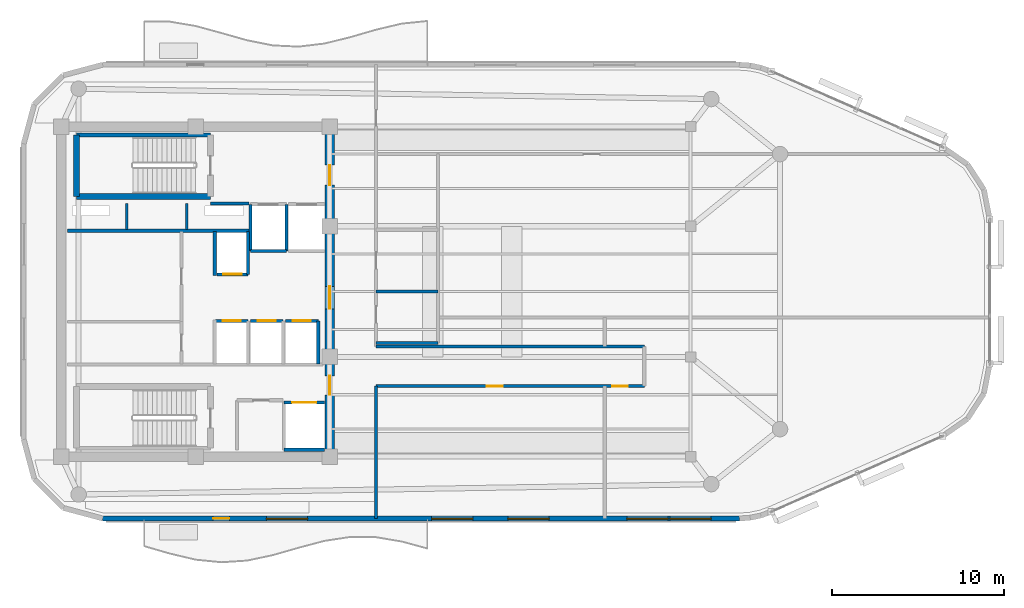
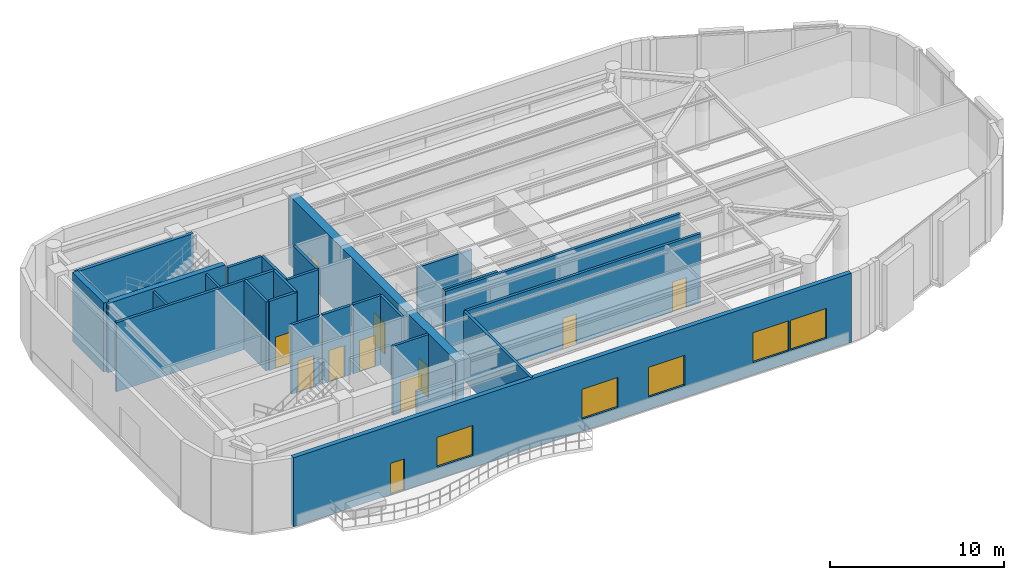
# One storey, part 8 of 12: 26 walls, 11 doors, 5 windows, 16 openings.
"""IFC4 building model written with IfcOpenShell, lengths in metres."""

from ifc_helpers import new_model, si_unit, direction, frame, frame_2d, origin, place, context, subcontext, project, spatial, rectangle, extrude, material, layer, layer_set, type_object, element, fill, save


model = new_model("IFC4")

# Units and contexts
model_context = context("Model", 3, precision=1e-05, world=origin(), true_north=direction((0.0, 1.0)))
body_context = subcontext(model_context, "Body", "Model", "MODEL_VIEW")
ifc_project = project(units=[si_unit("LENGTHUNIT", "METRE"), si_unit("AREAUNIT", "SQUARE_METRE"), si_unit("VOLUMEUNIT", "CUBIC_METRE"), si_unit("PLANEANGLEUNIT", "RADIAN"), si_unit("MASSUNIT", "GRAM", prefix="KILO")], contexts=[model_context])

# Site, building, storey
site_placement = place(None, origin())
site = spatial("IfcSite", under=ifc_project, at=site_placement, CompositionType="ELEMENT")
building_placement = place(site_placement, origin())
building = spatial("IfcBuilding", under=site, at=building_placement, Name="An Khanh Terracotta Commons", CompositionType="ELEMENT")
storey_placement = place(building_placement, frame((0.0, 0.0, 295.300048828125)))
storey = spatial("IfcBuildingStorey", under=building, at=storey_placement, Name="L77", CompositionType="ELEMENT", Elevation=295.300048828125)

# Wall, openings, doors
ifc_material_1 = material(Name="Concrete C50/60", Category="concrete")
ifc_layer_1 = layer(ifc_material_1, 0.550048828125, Name="Concrete C50/60")
ifc_layer_set_1 = layer_set([ifc_layer_1], Name="Concrete C50/60")
wall_type_1 = type_object("IfcWallType", Name="WALL-CORE-550", PredefinedType="SHEAR", material=ifc_layer_set_1)
wall_1_placement = place(storey_placement, frame((37.199951171875, 14.39990234375, 0.0), z_axis=(0.0, 0.0, 1.0), x_axis=(0.0, 1.0, 0.0)))
wall_1 = element("IfcWall", 1, at=wall_1_placement, inside=storey, type_object=wall_type_1, Name="L77 Core Wall CWALL-L77-E", PredefinedType="SHEAR", context=body_context, shape_type="SweptSolid", body=[
    extrude(rectangle(XDim=19.2001953125, YDim=0.550048828125, at=frame_2d((9.60009765625, 0.0))), origin(), (0.0, 0.0, 1.0), 4.849853515625),
])
opening_1_placement = place(wall_1_placement, frame((15.800048828125, 0.0, 0.0)))
opening_1 = element("IfcOpeningElement", 2, at=opening_1_placement, cuts=wall_1, Name="Opening D-FFL", PredefinedType="OPENING", context=body_context, shape_type="SweptSolid", body=[
    extrude(rectangle(XDim=1.14990234375, YDim=2.14990234375, at=frame_2d((0.574951171875, 1.074951171875))), frame((0.0, 0.284912109375, 0.0), z_axis=(0.0, -1.0, 0.0), x_axis=(1.0, 0.0, 0.0)), (0.0, 0.0, 1.0), 0.570068359375),
])
opening_2_placement = place(wall_1_placement, frame((3.60009765625, 0.0, 0.0)))
opening_2 = element("IfcOpeningElement", 3, at=opening_2_placement, cuts=wall_1, Name="Opening D-ST", PredefinedType="OPENING", context=body_context, shape_type="SweptSolid", body=[
    extrude(rectangle(XDim=1.10009765625, YDim=2.14990234375, at=frame_2d((0.550048828125, 1.074951171875))), frame((0.0, 0.284912109375, 0.0), z_axis=(0.0, -1.0, 0.0), x_axis=(1.0, 0.0, 0.0)), (0.0, 0.0, 1.0), 0.570068359375),
])
opening_3_placement = place(wall_1_placement, frame((8.60009765625, 0.0, 0.0)))
opening_3 = element("IfcOpeningElement", 4, at=opening_3_placement, cuts=wall_1, Name="Opening D-COR", PredefinedType="OPENING", context=body_context, shape_type="SweptSolid", body=[
    extrude(rectangle(XDim=1.300048828125, YDim=2.199951171875, at=frame_2d((0.64990234375, 1.10009765625))), frame((0.0, 0.284912109375, 0.0), z_axis=(0.0, -1.0, 0.0), x_axis=(1.0, 0.0, 0.0)), (0.0, 0.0, 1.0), 0.570068359375),
])
ifc_material_2 = material(Name="Fire-Rated Glazed Steel Double Door", Category="steel")
door_type_1 = type_object("IfcDoorType", Name="DOOR-CORR-1300", OperationType="NOTDEFINED", PredefinedType="DOOR", material=ifc_material_2)
door_1_placement = place(opening_3_placement, origin())
door_1 = element("IfcDoor", 5, at=door_1_placement, inside=storey, type_object=door_type_1, Name="L77 Passenger Lift Lobby Double Door", OperationType="DOUBLE_DOOR_SINGLE_SWING", OverallHeight=2.199951171875, OverallWidth=1.300048828125, PredefinedType="DOOR", context=body_context, shape_type="SweptSolid", body=[
    extrude(rectangle(XDim=1.300048828125, YDim=2.199951171875, at=frame_2d((0.64990234375, 1.10009765625))), frame((0.0, 0.02490234375, 0.0), z_axis=(0.0, -1.0, 0.0), x_axis=(1.0, 0.0, 0.0)), (0.0, 0.0, 1.0), 0.050048828125),
])
fill(opening_3, door_1)
ifc_material_3 = material(Name="Fire-Rated Steel Leaf and Vision Panel", Category="steel")
door_type_2 = type_object("IfcDoorType", Name="DOOR-FFL-1150", OperationType="NOTDEFINED", PredefinedType="DOOR", material=ifc_material_3)
door_2_placement = place(opening_1_placement, origin())
door_2 = element("IfcDoor", 6, at=door_2_placement, inside=storey, type_object=door_type_2, Name="L77 Firefighting Lift Lobby Fire Door", OperationType="SINGLE_SWING_RIGHT", OverallHeight=2.14990234375, OverallWidth=1.14990234375, PredefinedType="DOOR", context=body_context, shape_type="SweptSolid", body=[
    extrude(rectangle(XDim=1.14990234375, YDim=2.14990234375, at=frame_2d((0.574951171875, 1.074951171875))), frame((0.0, 0.02490234375, 0.0), z_axis=(0.0, -1.0, 0.0), x_axis=(1.0, 0.0, 0.0)), (0.0, 0.0, 1.0), 0.050048828125),
])
fill(opening_1, door_2)
ifc_material_4 = material(Name="Fire-Rated Steel Leaf and Frame", Category="steel")
door_type_3 = type_object("IfcDoorType", Name="DOOR-STAIR-1100", OperationType="NOTDEFINED", PredefinedType="DOOR", material=ifc_material_4)
door_3_placement = place(opening_2_placement, origin())
door_3 = element("IfcDoor", 7, at=door_3_placement, inside=storey, type_object=door_type_3, Name="L77 South Stair Lobby Fire Door", OperationType="SINGLE_SWING_LEFT", OverallHeight=2.14990234375, OverallWidth=1.10009765625, PredefinedType="DOOR", context=body_context, shape_type="SweptSolid", body=[
    extrude(rectangle(XDim=1.10009765625, YDim=2.14990234375, at=frame_2d((0.550048828125, 1.074951171875))), frame((0.0, 0.02490234375, 0.0), z_axis=(0.0, -1.0, 0.0), x_axis=(1.0, 0.0, 0.0)), (0.0, 0.0, 1.0), 0.050048828125),
])
fill(opening_2, door_3)

# Walls
ifc_material_5 = material(Name="Fire-Rated Gypsum Board on Steel Stud", Category="steel")
ifc_layer_2 = layer(ifc_material_5, 0.179931640625, Name="Fire-Rated Gypsum Board on Steel Stud")
ifc_layer_set_2 = layer_set([ifc_layer_2], Name="Fire-Rated Gypsum Board on Steel Stud")
wall_type_2 = type_object("IfcWallType", Name="WALL-CORR-180", PredefinedType="PARTITIONING", material=ifc_layer_set_2)
wall_2_placement = place(storey_placement, frame((30.27001953125, 29.1201171875, 0.0), z_axis=(0.0, 0.0, 1.0), x_axis=(1.0, 0.0, 0.0)))
element("IfcWall", 8, at=wall_2_placement, inside=storey, type_object=wall_type_2, Name="L77 Core Wall FFLW-L77-S", PredefinedType="PARTITIONING", context=body_context, shape_type="SweptSolid", body=[
    extrude(rectangle(XDim=2.239990234375, YDim=0.179931640625, at=frame_2d((1.1201171875, 0.0))), origin(), (0.0, 0.0, 1.0), 4.849853515625),
])
wall_3_placement = place(storey_placement, frame((21.949951171875, 27.5400390625, 0.0), z_axis=(0.0, 0.0, 1.0), x_axis=(1.0, 0.0, 0.0)))
element("IfcWall", 9, at=wall_3_placement, inside=storey, type_object=wall_type_2, Name="L77 Core Wall RSRW-L77-S", PredefinedType="PARTITIONING", context=body_context, shape_type="SweptSolid", body=[
    extrude(rectangle(XDim=10.56005859375, YDim=0.179931640625, at=frame_2d((5.280029296875, 0.0))), origin(), (0.0, 0.0, 1.0), 4.849853515625),
])
wall_4_placement = place(storey_placement, frame((34.679931640625, 26.35009765625, 0.0), z_axis=(0.0, 0.0, 1.0), x_axis=(-1.0, 0.0, 0.0)))
element("IfcWall", 10, at=wall_4_placement, inside=storey, type_object=wall_type_2, Name="L77 Core Wall LSH-L77-FFL-01-S", PredefinedType="PARTITIONING", context=body_context, shape_type="SweptSolid", body=[
    extrude(rectangle(XDim=2.079833984375, YDim=0.179931640625, at=frame_2d((1.0400390625, 0.0))), origin(), (0.0, 0.0, 1.0), 4.849853515625),
])
for number, where, z_axis, x_axis, name in (
    (11, (34.679931640625, 26.35009765625, 0.0), (0.0, 0.0, 1.0), (0.0, 1.0, 0.0), "L77 Core Wall LSH-L77-FFL-01-E"),
    (12, (32.60009765625, 29.080078125, 0.0), (0.0, 0.0, 1.0), (0.0, -1.0, 0.0), "L77 Core Wall LSH-L77-FFL-01-W"),
):
    element("IfcWall", number, at=place(storey_placement, frame(where, z_axis=z_axis, x_axis=x_axis)), inside=storey, type_object=wall_type_2, Name=name, PredefinedType="PARTITIONING", context=body_context, shape_type="SweptSolid", body=[
        extrude(rectangle(XDim=2.72998046875, YDim=0.179931640625, at=frame_2d((1.364990234375, 0.0))), origin(), (0.0, 0.0, 1.0), 4.849853515625),
    ])

# Wall, opening, door
wall_5_placement = place(storey_placement, frame((34.550048828125, 17.550048828125, 0.0), z_axis=(0.0, 0.0, 1.0), x_axis=(1.0, 0.0, 0.0)))
wall_5 = element("IfcWall", 13, at=wall_5_placement, inside=storey, type_object=wall_type_2, Name="L77 Core Wall LSH-L77-SVL-01-N", PredefinedType="PARTITIONING", context=body_context, shape_type="SweptSolid", body=[
    extrude(rectangle(XDim=2.349853515625, YDim=0.179931640625, at=frame_2d((1.1748046875, 0.0))), origin(), (0.0, 0.0, 1.0), 4.849853515625),
])
opening_4_placement = place(wall_5_placement, frame((0.47509765625, 0.0, 0.0)))
opening_4 = element("IfcOpeningElement", 14, at=opening_4_placement, cuts=wall_5, Name="Opening LD-SVL-01-L77", PredefinedType="OPENING", context=body_context, shape_type="SweptSolid", body=[
    extrude(rectangle(XDim=1.39990234375, YDim=2.300048828125, at=frame_2d((0.699951171875, 1.14990234375))), frame((0.0, 0.099853515625, 0.0), z_axis=(0.0, -1.0, 0.0), x_axis=(1.0, 0.0, 0.0)), (0.0, 0.0, 1.0), 0.199951171875),
])
ifc_material_6 = material(Name="Heavy-Duty Stainless Steel Goods Landing Door", Category="steel")
door_type_4 = type_object("IfcDoorType", Name="DOOR-LD-SVL-1400", OperationType="NOTDEFINED", PredefinedType="DOOR", material=ifc_material_6)
door_4_placement = place(opening_4_placement, origin())
door_4 = element("IfcDoor", 15, at=door_4_placement, inside=storey, type_object=door_type_4, Name="L77 Lift SVL-01 Sliding Landing Door", OperationType="DOUBLE_DOOR_SLIDING", OverallHeight=2.300048828125, OverallWidth=1.39990234375, PredefinedType="DOOR", context=body_context, shape_type="SweptSolid", body=[
    extrude(rectangle(XDim=1.39990234375, YDim=2.300048828125, at=frame_2d((0.699951171875, 1.14990234375))), frame((0.0, 0.02490234375, 0.0), z_axis=(0.0, -1.0, 0.0), x_axis=(1.0, 0.0, 0.0)), (0.0, 0.0, 1.0), 0.050048828125),
])
fill(opening_4, door_4)

# Wall
wall_6_placement = place(storey_placement, frame((36.89990234375, 14.800048828125, 0.0), z_axis=(0.0, 0.0, 1.0), x_axis=(-1.0, 0.0, 0.0)))
element("IfcWall", 16, at=wall_6_placement, inside=storey, type_object=wall_type_2, Name="L77 Core Wall LSH-L77-SVL-01-S", PredefinedType="PARTITIONING", context=body_context, shape_type="SweptSolid", body=[
    extrude(rectangle(XDim=2.349853515625, YDim=0.179931640625, at=frame_2d((1.1748046875, 0.0))), origin(), (0.0, 0.0, 1.0), 3.33203125),
])

# Wall, opening, door
wall_7_placement = place(storey_placement, frame((32.4599609375, 25.0, 0.0), z_axis=(0.0, 0.0, 1.0), x_axis=(-1.0, 0.0, 0.0)))
wall_7 = element("IfcWall", 17, at=wall_7_placement, inside=storey, type_object=wall_type_2, Name="L77 Core Wall LSH-L77-PL-H1-S", PredefinedType="PARTITIONING", context=body_context, shape_type="SweptSolid", body=[
    extrude(rectangle(XDim=1.820068359375, YDim=0.179931640625, at=frame_2d((0.91015625, 0.0))), origin(), (0.0, 0.0, 1.0), 4.849853515625),
])
opening_5_placement = place(wall_7_placement, frame((0.385009765625, 0.0, 0.0)))
opening_5 = element("IfcOpeningElement", 18, at=opening_5_placement, cuts=wall_7, Name="Opening LD-PL-H1-L77", PredefinedType="OPENING", context=body_context, shape_type="SweptSolid", body=[
    extrude(rectangle(XDim=1.050048828125, YDim=2.199951171875, at=frame_2d((0.52490234375, 1.10009765625))), frame((0.0, 0.099853515625, 0.0), z_axis=(0.0, -1.0, 0.0), x_axis=(1.0, 0.0, 0.0)), (0.0, 0.0, 1.0), 0.199951171875),
])
ifc_material_7 = material(Name="Brushed Stainless Steel High-Rise Landing Door", Category="steel")
door_type_5 = type_object("IfcDoorType", Name="DOOR-LD-PAXH-1050", OperationType="NOTDEFINED", PredefinedType="DOOR", material=ifc_material_7)
door_5_placement = place(opening_5_placement, origin())
door_5 = element("IfcDoor", 19, at=door_5_placement, inside=storey, type_object=door_type_5, Name="L77 Lift PL-H1 Sliding Landing Door", OperationType="DOUBLE_DOOR_SLIDING", OverallHeight=2.199951171875, OverallWidth=1.050048828125, PredefinedType="DOOR", context=body_context, shape_type="SweptSolid", body=[
    extrude(rectangle(XDim=1.050048828125, YDim=2.199951171875, at=frame_2d((0.52490234375, 1.10009765625))), frame((0.0, 0.02490234375, 0.0), z_axis=(0.0, -1.0, 0.0), x_axis=(1.0, 0.0, 0.0)), (0.0, 0.0, 1.0), 0.050048828125),
])
fill(opening_5, door_5)

# Wall
wall_8_placement = place(storey_placement, frame((32.4599609375, 25.0, 0.0), z_axis=(0.0, 0.0, 1.0), x_axis=(0.0, 1.0, 0.0)))
element("IfcWall", 20, at=wall_8_placement, inside=storey, type_object=wall_type_2, Name="L77 Core Wall LSH-L77-PL-H1-E", PredefinedType="PARTITIONING", context=body_context, shape_type="SweptSolid", body=[
    extrude(rectangle(XDim=2.5, YDim=0.179931640625, at=frame_2d((1.25, 0.0))), origin(), (0.0, 0.0, 1.0), 4.849853515625),
])

# Wall, opening, door
wall_9_placement = place(storey_placement, frame((30.56005859375, 22.300048828125, 0.0), z_axis=(0.0, 0.0, 1.0), x_axis=(1.0, 0.0, 0.0)))
wall_9 = element("IfcWall", 21, at=wall_9_placement, inside=storey, type_object=wall_type_2, Name="L77 Core Wall LSH-L77-PL-H2-N", PredefinedType="PARTITIONING", context=body_context, shape_type="SweptSolid", body=[
    extrude(rectangle(XDim=1.89990234375, YDim=0.179931640625, at=frame_2d((0.949951171875, 0.0))), origin(), (0.0, 0.0, 1.0), 4.849853515625),
])
opening_6_placement = place(wall_9_placement, frame((0.425048828125, 0.0, 0.0)))
opening_6 = element("IfcOpeningElement", 22, at=opening_6_placement, cuts=wall_9, Name="Opening LD-PL-H2-L77", PredefinedType="OPENING", context=body_context, shape_type="SweptSolid", body=[
    extrude(rectangle(XDim=1.050048828125, YDim=2.199951171875, at=frame_2d((0.52490234375, 1.10009765625))), frame((0.0, 0.099853515625, 0.0), z_axis=(0.0, -1.0, 0.0), x_axis=(1.0, 0.0, 0.0)), (0.0, 0.0, 1.0), 0.199951171875),
])
door_6_placement = place(opening_6_placement, origin())
door_6 = element("IfcDoor", 23, at=door_6_placement, inside=storey, type_object=door_type_5, Name="L77 Lift PL-H2 Sliding Landing Door", OperationType="DOUBLE_DOOR_SLIDING", OverallHeight=2.199951171875, OverallWidth=1.050048828125, PredefinedType="DOOR", context=body_context, shape_type="SweptSolid", body=[
    extrude(rectangle(XDim=1.050048828125, YDim=2.199951171875, at=frame_2d((0.52490234375, 1.10009765625))), frame((0.0, 0.02490234375, 0.0), z_axis=(0.0, -1.0, 0.0), x_axis=(1.0, 0.0, 0.0)), (0.0, 0.0, 1.0), 0.050048828125),
])
fill(opening_6, door_6)

wall_10_placement = place(storey_placement, frame((32.60009765625, 22.300048828125, 0.0), z_axis=(0.0, 0.0, 1.0), x_axis=(1.0, 0.0, 0.0)))
wall_10 = element("IfcWall", 24, at=wall_10_placement, inside=storey, type_object=wall_type_2, Name="L77 Core Wall LSH-L77-PL-H3-N", PredefinedType="PARTITIONING", context=body_context, shape_type="SweptSolid", body=[
    extrude(rectangle(XDim=1.89990234375, YDim=0.179931640625, at=frame_2d((0.949951171875, 0.0))), origin(), (0.0, 0.0, 1.0), 4.849853515625),
])
opening_7_placement = place(wall_10_placement, frame((0.425048828125, 0.0, 0.0)))
opening_7 = element("IfcOpeningElement", 25, at=opening_7_placement, cuts=wall_10, Name="Opening LD-PL-H3-L77", PredefinedType="OPENING", context=body_context, shape_type="SweptSolid", body=[
    extrude(rectangle(XDim=1.050048828125, YDim=2.199951171875, at=frame_2d((0.52490234375, 1.10009765625))), frame((0.0, 0.099853515625, 0.0), z_axis=(0.0, -1.0, 0.0), x_axis=(1.0, 0.0, 0.0)), (0.0, 0.0, 1.0), 0.199951171875),
])
door_7_placement = place(opening_7_placement, origin())
door_7 = element("IfcDoor", 26, at=door_7_placement, inside=storey, type_object=door_type_5, Name="L77 Lift PL-H3 Sliding Landing Door", OperationType="DOUBLE_DOOR_SLIDING", OverallHeight=2.199951171875, OverallWidth=1.050048828125, PredefinedType="DOOR", context=body_context, shape_type="SweptSolid", body=[
    extrude(rectangle(XDim=1.050048828125, YDim=2.199951171875, at=frame_2d((0.52490234375, 1.10009765625))), frame((0.0, 0.02490234375, 0.0), z_axis=(0.0, -1.0, 0.0), x_axis=(1.0, 0.0, 0.0)), (0.0, 0.0, 1.0), 0.050048828125),
])
fill(opening_7, door_7)

wall_11_placement = place(storey_placement, frame((34.639892578125, 22.300048828125, 0.0), z_axis=(0.0, 0.0, 1.0), x_axis=(1.0, 0.0, 0.0)))
wall_11 = element("IfcWall", 27, at=wall_11_placement, inside=storey, type_object=wall_type_2, Name="L77 Core Wall LSH-L77-PL-H4-N", PredefinedType="PARTITIONING", context=body_context, shape_type="SweptSolid", body=[
    extrude(rectangle(XDim=1.900146484375, YDim=0.179931640625, at=frame_2d((0.9501953125, 0.0))), origin(), (0.0, 0.0, 1.0), 4.849853515625),
])
opening_8_placement = place(wall_11_placement, frame((0.425048828125, 0.0, 0.0)))
opening_8 = element("IfcOpeningElement", 28, at=opening_8_placement, cuts=wall_11, Name="Opening LD-PL-H4-L77", PredefinedType="OPENING", context=body_context, shape_type="SweptSolid", body=[
    extrude(rectangle(XDim=1.050048828125, YDim=2.199951171875, at=frame_2d((0.52490234375, 1.10009765625))), frame((0.0, 0.099853515625, 0.0), z_axis=(0.0, -1.0, 0.0), x_axis=(1.0, 0.0, 0.0)), (0.0, 0.0, 1.0), 0.199951171875),
])
door_8_placement = place(opening_8_placement, origin())
door_8 = element("IfcDoor", 29, at=door_8_placement, inside=storey, type_object=door_type_5, Name="L77 Lift PL-H4 Sliding Landing Door", OperationType="DOUBLE_DOOR_SLIDING", OverallHeight=2.199951171875, OverallWidth=1.050048828125, PredefinedType="DOOR", context=body_context, shape_type="SweptSolid", body=[
    extrude(rectangle(XDim=1.050048828125, YDim=2.199951171875, at=frame_2d((0.52490234375, 1.10009765625))), frame((0.0, 0.02490234375, 0.0), z_axis=(0.0, -1.0, 0.0), x_axis=(1.0, 0.0, 0.0)), (0.0, 0.0, 1.0), 0.050048828125),
])
fill(opening_8, door_8)

# Walls
wall_12_placement = place(storey_placement, frame((36.5400390625, 19.800048828125, 0.0), z_axis=(0.0, 0.0, 1.0), x_axis=(0.0, 1.0, 0.0)))
element("IfcWall", 30, at=wall_12_placement, inside=storey, type_object=wall_type_2, Name="L77 Core Wall LSH-L77-PL-H4-E", PredefinedType="PARTITIONING", context=body_context, shape_type="SweptSolid", body=[
    extrude(rectangle(XDim=2.5, YDim=0.179931640625, at=frame_2d((1.25, 0.0))), origin(), (0.0, 0.0, 1.0), 4.849853515625),
])
wall_13_placement = place(storey_placement, frame((30.52001953125, 24.949951171875, 0.0), z_axis=(0.0, 0.0, 1.0), x_axis=(0.0, 1.0, 0.0)))
element("IfcWall", 31, at=wall_13_placement, inside=storey, type_object=wall_type_2, Name="L77 Core Wall RECW-L77-BE1", PredefinedType="PARTITIONING", context=body_context, shape_type="SweptSolid", body=[
    extrude(rectangle(XDim=2.550048828125, YDim=0.179931640625, at=frame_2d((1.27490234375, 0.0))), origin(), (0.0, 0.0, 1.0), 4.849853515625),
])

# Wall, openings, doors
wall_14_placement = place(storey_placement, frame((39.89990234375, 18.5, 0.0), z_axis=(0.0, 0.0, 1.0), x_axis=(1.0, 0.0, 0.0)))
wall_14 = element("IfcWall", 32, at=wall_14_placement, inside=storey, type_object=wall_type_2, Name="L77 Interior Partition IW-L77-E001", PredefinedType="PARTITIONING", context=body_context, shape_type="SweptSolid", body=[
    extrude(rectangle(XDim=15.60009765625, YDim=0.179931640625, at=frame_2d((7.800048828125, 0.0))), origin(), (0.0, 0.0, 1.0), 4.849853515625),
])
opening_9_placement = place(wall_14_placement, frame((6.449951171875, 0.0, 0.0)))
opening_9 = element("IfcOpeningElement", 33, at=opening_9_placement, cuts=wall_14, Name="Opening D-RM", PredefinedType="OPENING", context=body_context, shape_type="SweptSolid", body=[
    extrude(rectangle(XDim=0.919921875, YDim=2.10009765625, at=frame_2d((0.4599609375, 1.050048828125))), frame((0.0, 0.099853515625, 0.0), z_axis=(0.0, -1.0, 0.0), x_axis=(1.0, 0.0, 0.0)), (0.0, 0.0, 1.0), 0.199951171875),
])
opening_10_placement = place(wall_14_placement, frame((13.72998046875, 0.0, 0.0)))
opening_10 = element("IfcOpeningElement", 34, at=opening_10_placement, cuts=wall_14, Name="Opening D-RM", PredefinedType="OPENING", context=body_context, shape_type="SweptSolid", body=[
    extrude(rectangle(XDim=0.919921875, YDim=2.10009765625, at=frame_2d((0.4599609375, 1.050048828125))), frame((0.0, 0.099853515625, 0.0), z_axis=(0.0, -1.0, 0.0), x_axis=(1.0, 0.0, 0.0)), (0.0, 0.0, 1.0), 0.199951171875),
])
ifc_material_8 = material(Name="Engineered Hardwood Timber Leaf", Category="wood")
door_type_6 = type_object("IfcDoorType", Name="DOOR-INT-920", OperationType="NOTDEFINED", PredefinedType="DOOR", material=ifc_material_8)
door_9_placement = place(opening_9_placement, origin())
door_9 = element("IfcDoor", 35, at=door_9_placement, inside=storey, type_object=door_type_6, Name="L77 SSEM Observatory Reading Library Door", OperationType="SINGLE_SWING_RIGHT", OverallHeight=2.10009765625, OverallWidth=0.919921875, PredefinedType="DOOR", context=body_context, shape_type="SweptSolid", body=[
    extrude(rectangle(XDim=0.919921875, YDim=2.10009765625, at=frame_2d((0.4599609375, 1.050048828125))), frame((0.0, 0.02490234375, 0.0), z_axis=(0.0, -1.0, 0.0), x_axis=(1.0, 0.0, 0.0)), (0.0, 0.0, 1.0), 0.050048828125),
])
fill(opening_9, door_9)
door_10_placement = place(opening_10_placement, origin())
door_10 = element("IfcDoor", 36, at=door_10_placement, inside=storey, type_object=door_type_6, Name="L77 SWST Residents Sky Forum Hall Door", OperationType="SINGLE_SWING_LEFT", OverallHeight=2.10009765625, OverallWidth=0.919921875, PredefinedType="DOOR", context=body_context, shape_type="SweptSolid", body=[
    extrude(rectangle(XDim=0.919921875, YDim=2.10009765625, at=frame_2d((0.4599609375, 1.050048828125))), frame((0.0, 0.02490234375, 0.0), z_axis=(0.0, -1.0, 0.0), x_axis=(1.0, 0.0, 0.0)), (0.0, 0.0, 1.0), 0.050048828125),
])
fill(opening_10, door_10)

# Walls
wall_15_placement = place(storey_placement, frame((39.89990234375, 20.800048828125, 0.0), z_axis=(0.0, 0.0, 1.0), x_axis=(1.0, 0.0, 0.0)))
element("IfcWall", 37, at=wall_15_placement, inside=storey, type_object=wall_type_2, Name="L77 Interior Partition IW-L77-E002", PredefinedType="PARTITIONING", context=body_context, shape_type="SweptSolid", body=[
    extrude(rectangle(XDim=15.60009765625, YDim=0.179931640625, at=frame_2d((7.800048828125, 0.0))), origin(), (0.0, 0.0, 1.0), 4.849853515625),
])
wall_16_placement = place(storey_placement, frame((39.89990234375, 21.0, 0.0), z_axis=(0.0, 0.0, 1.0), x_axis=(1.0, 0.0, 0.0)))
element("IfcWall", 38, at=wall_16_placement, inside=storey, type_object=wall_type_2, Name="L77 Interior Partition IW-L77-E003", PredefinedType="PARTITIONING", context=body_context, shape_type="SweptSolid", body=[
    extrude(rectangle(XDim=3.60009765625, YDim=0.179931640625, at=frame_2d((1.800048828125, 0.0))), origin(), (0.0, 0.0, 1.0), 4.849853515625),
])
wall_17_placement = place(storey_placement, frame((39.89990234375, 24.0, 0.0), z_axis=(0.0, 0.0, 1.0), x_axis=(1.0, 0.0, 0.0)))
element("IfcWall", 39, at=wall_17_placement, inside=storey, type_object=wall_type_2, Name="L77 Interior Partition IW-L77-E005", PredefinedType="PARTITIONING", context=body_context, shape_type="SweptSolid", body=[
    extrude(rectangle(XDim=3.60009765625, YDim=0.179931640625, at=frame_2d((1.800048828125, 0.0))), origin(), (0.0, 0.0, 1.0), 4.592041015625),
])
wall_18_placement = place(storey_placement, frame((39.89990234375, 10.800048828125, 0.0), z_axis=(0.0, 0.0, 1.0), x_axis=(0.0, 1.0, 0.0)))
element("IfcWall", 40, at=wall_18_placement, inside=storey, type_object=wall_type_2, Name="L77 Interior Partition IW-L77-E008", PredefinedType="PARTITIONING", context=body_context, shape_type="SweptSolid", body=[
    extrude(rectangle(XDim=7.699951171875, YDim=0.179931640625, at=frame_2d((3.85009765625, 0.0))), origin(), (0.0, 0.0, 1.0), 4.849853515625),
])

# Wall, openings, door, windows
ifc_material_9 = material(Name="Precast concrete C40/50", Category="concrete")
ifc_layer_3 = layer(ifc_material_9, 0.300048828125, Name="Precast concrete C40/50")
ifc_layer_set_3 = layer_set([ifc_layer_3], Name="Precast concrete C40/50")
wall_type_3 = type_object("IfcWallType", Name="WALL-EXT-300", PredefinedType="SOLIDWALL", material=ifc_layer_set_3)
wall_19_placement = place(storey_placement, frame((24.0, 10.800048828125, 0.0), z_axis=(0.0, 0.0, 1.0), x_axis=(1.0, 0.0, 0.0)))
wall_19 = element("IfcWall", 41, at=wall_19_placement, inside=storey, type_object=wall_type_3, Name="L77 Insulated Terracotta Exterior Wall 4", PredefinedType="SOLIDWALL", context=body_context, shape_type="SweptSolid", body=[
    extrude(rectangle(XDim=37.030029296875, YDim=0.300048828125, at=frame_2d((18.51513671875, 0.0))), origin(), (0.0, 0.0, 1.0), 4.849853515625),
])
opening_11_placement = place(wall_19_placement, frame((6.425048828125, 0.0, 0.0)))
opening_11 = element("IfcOpeningElement", 42, at=opening_11_placement, cuts=wall_19, Name="Opening D-BAL", PredefinedType="OPENING", context=body_context, shape_type="SweptSolid", body=[
    extrude(rectangle(XDim=0.949951171875, YDim=2.199951171875, at=frame_2d((0.47509765625, 1.10009765625))), frame((0.0, 0.159912109375, 0.0), z_axis=(0.0, -1.0, 0.0), x_axis=(1.0, 0.0, 0.0)), (0.0, 0.0, 1.0), 0.320068359375),
])
opening_12_placement = place(wall_19_placement, frame((9.51708984375, 0.0, 0.85009765625)))
opening_12 = element("IfcOpeningElement", 43, at=opening_12_placement, cuts=wall_19, Name="Opening W-07", PredefinedType="OPENING", context=body_context, shape_type="SweptSolid", body=[
    extrude(rectangle(XDim=2.39990234375, YDim=2.10009765625, at=frame_2d((1.199951171875, 1.050048828125))), frame((0.0, 0.159912109375, 0.0), z_axis=(0.0, -1.0, 0.0), x_axis=(1.0, 0.0, 0.0)), (0.0, 0.0, 1.0), 0.320068359375),
])
opening_13_placement = place(wall_19_placement, frame((19.133056640625, 0.0, 0.85009765625)))
opening_13 = element("IfcOpeningElement", 44, at=opening_13_placement, cuts=wall_19, Name="Opening W-07", PredefinedType="OPENING", context=body_context, shape_type="SweptSolid", body=[
    extrude(rectangle(XDim=2.39990234375, YDim=2.10009765625, at=frame_2d((1.199951171875, 1.050048828125))), frame((0.0, 0.159912109375, 0.0), z_axis=(0.0, -1.0, 0.0), x_axis=(1.0, 0.0, 0.0)), (0.0, 0.0, 1.0), 0.320068359375),
])
opening_14_placement = place(wall_19_placement, frame((23.56689453125, 0.0, 0.85009765625)))
opening_14 = element("IfcOpeningElement", 45, at=opening_14_placement, cuts=wall_19, Name="Opening W-07", PredefinedType="OPENING", context=body_context, shape_type="SweptSolid", body=[
    extrude(rectangle(XDim=2.39990234375, YDim=2.10009765625, at=frame_2d((1.199951171875, 1.050048828125))), frame((0.0, 0.159912109375, 0.0), z_axis=(0.0, -1.0, 0.0), x_axis=(1.0, 0.0, 0.0)), (0.0, 0.0, 1.0), 0.320068359375),
])
opening_15_placement = place(wall_19_placement, frame((30.492919921875, 0.0, 0.85009765625)))
opening_15 = element("IfcOpeningElement", 46, at=opening_15_placement, cuts=wall_19, Name="Opening W-07", PredefinedType="OPENING", context=body_context, shape_type="SweptSolid", body=[
    extrude(rectangle(XDim=2.39990234375, YDim=2.10009765625, at=frame_2d((1.199951171875, 1.050048828125))), frame((0.0, 0.159912109375, 0.0), z_axis=(0.0, -1.0, 0.0), x_axis=(1.0, 0.0, 0.0)), (0.0, 0.0, 1.0), 0.320068359375),
])
opening_16_placement = place(wall_19_placement, frame((32.987060546875, 0.0, 0.85009765625)))
opening_16 = element("IfcOpeningElement", 47, at=opening_16_placement, cuts=wall_19, Name="Opening W-07", PredefinedType="OPENING", context=body_context, shape_type="SweptSolid", body=[
    extrude(rectangle(XDim=2.39990234375, YDim=2.10009765625, at=frame_2d((1.199951171875, 1.050048828125))), frame((0.0, 0.159912109375, 0.0), z_axis=(0.0, -1.0, 0.0), x_axis=(1.0, 0.0, 0.0)), (0.0, 0.0, 1.0), 0.320068359375),
])
ifc_material_10 = material(Name="Thermally Broken Aluminium and Low-E Glass", Category="aluminium")
door_type_7 = type_object("IfcDoorType", Name="DOOR-BALC-950", OperationType="NOTDEFINED", PredefinedType="DOOR", material=ifc_material_10)
door_11_placement = place(opening_11_placement, origin())
door_11 = element("IfcDoor", 48, at=door_11_placement, inside=storey, type_object=door_type_7, Name="L77 S Wave Balcony Glazed Door", OperationType="SINGLE_SWING_LEFT", OverallHeight=2.199951171875, OverallWidth=0.949951171875, PredefinedType="DOOR", context=body_context, shape_type="SweptSolid", body=[
    extrude(rectangle(XDim=0.949951171875, YDim=2.199951171875, at=frame_2d((0.47509765625, 1.10009765625))), frame((0.0, 0.02490234375, 0.0), z_axis=(0.0, -1.0, 0.0), x_axis=(1.0, 0.0, 0.0)), (0.0, 0.0, 1.0), 0.050048828125),
])
fill(opening_11, door_11)
window_type = type_object("IfcWindowType", Name="WIN-SKY-2400x2100", PartitioningType="TRIPLE_PANEL_VERTICAL", PredefinedType="WINDOW", material=ifc_material_10)
window_1_placement = place(opening_12_placement, origin())
window_1 = element("IfcWindow", 49, at=window_1_placement, inside=storey, type_object=window_type, Name="L77 Operable Casement Window 4.1", OverallHeight=2.10009765625, OverallWidth=2.39990234375, PartitioningType="TRIPLE_PANEL_VERTICAL", PredefinedType="WINDOW", context=body_context, shape_type="SweptSolid", body=[
    extrude(rectangle(XDim=2.39990234375, YDim=2.10009765625, at=frame_2d((1.199951171875, 1.050048828125))), frame((0.0, 0.030029296875, 0.0), z_axis=(0.0, -1.0, 0.0), x_axis=(1.0, 0.0, 0.0)), (0.0, 0.0, 1.0), 0.06005859375),
])
fill(opening_12, window_1)
window_2_placement = place(opening_13_placement, origin())
window_2 = element("IfcWindow", 50, at=window_2_placement, inside=storey, type_object=window_type, Name="L77 Operable Casement Window 4.2", OverallHeight=2.10009765625, OverallWidth=2.39990234375, PartitioningType="TRIPLE_PANEL_VERTICAL", PredefinedType="WINDOW", context=body_context, shape_type="SweptSolid", body=[
    extrude(rectangle(XDim=2.39990234375, YDim=2.10009765625, at=frame_2d((1.199951171875, 1.050048828125))), frame((0.0, 0.030029296875, 0.0), z_axis=(0.0, -1.0, 0.0), x_axis=(1.0, 0.0, 0.0)), (0.0, 0.0, 1.0), 0.06005859375),
])
fill(opening_13, window_2)
window_3_placement = place(opening_14_placement, origin())
window_3 = element("IfcWindow", 51, at=window_3_placement, inside=storey, type_object=window_type, Name="L77 Operable Casement Window 4.3", OverallHeight=2.10009765625, OverallWidth=2.39990234375, PartitioningType="TRIPLE_PANEL_VERTICAL", PredefinedType="WINDOW", context=body_context, shape_type="SweptSolid", body=[
    extrude(rectangle(XDim=2.39990234375, YDim=2.10009765625, at=frame_2d((1.199951171875, 1.050048828125))), frame((0.0, 0.030029296875, 0.0), z_axis=(0.0, -1.0, 0.0), x_axis=(1.0, 0.0, 0.0)), (0.0, 0.0, 1.0), 0.06005859375),
])
fill(opening_14, window_3)
window_4_placement = place(opening_15_placement, origin())
window_4 = element("IfcWindow", 52, at=window_4_placement, inside=storey, type_object=window_type, Name="L77 Operable Casement Window 4.4", OverallHeight=2.10009765625, OverallWidth=2.39990234375, PartitioningType="TRIPLE_PANEL_VERTICAL", PredefinedType="WINDOW", context=body_context, shape_type="SweptSolid", body=[
    extrude(rectangle(XDim=2.39990234375, YDim=2.10009765625, at=frame_2d((1.199951171875, 1.050048828125))), frame((0.0, 0.030029296875, 0.0), z_axis=(0.0, -1.0, 0.0), x_axis=(1.0, 0.0, 0.0)), (0.0, 0.0, 1.0), 0.06005859375),
])
fill(opening_15, window_4)
window_5_placement = place(opening_16_placement, origin())
window_5 = element("IfcWindow", 53, at=window_5_placement, inside=storey, type_object=window_type, Name="L77 Operable Casement Window 4.5", OverallHeight=2.10009765625, OverallWidth=2.39990234375, PartitioningType="TRIPLE_PANEL_VERTICAL", PredefinedType="WINDOW", context=body_context, shape_type="SweptSolid", body=[
    extrude(rectangle(XDim=2.39990234375, YDim=2.10009765625, at=frame_2d((1.199951171875, 1.050048828125))), frame((0.0, 0.030029296875, 0.0), z_axis=(0.0, -1.0, 0.0), x_axis=(1.0, 0.0, 0.0)), (0.0, 0.0, 1.0), 0.06005859375),
])
fill(opening_16, window_5)

# Walls
ifc_material_11 = material(Name="Acoustic Gypsum Board Partition")
ifc_layer_4 = layer(ifc_material_11, 0.14990234375, Name="Acoustic Gypsum Board Partition")
ifc_layer_set_4 = layer_set([ifc_layer_4], Name="Acoustic Gypsum Board Partition")
wall_type_4 = type_object("IfcWallType", Name="WALL-PART-150", PredefinedType="PARTITIONING", material=ifc_layer_set_4)
for number, where, z_axis, x_axis, name in (
    (54, (25.39990234375, 27.60009765625, 0.0), (0.0, 0.0, 1.0), (0.0, 1.0, 0.0), "L77 Core Wall RSRW-L77-D1"),
    (55, (28.89990234375, 27.60009765625, 0.0), (0.0, 0.0, 1.0), (0.0, 1.0, 0.0), "L77 Core Wall RSRW-L77-D2"),
):
    element("IfcWall", number, at=place(storey_placement, frame(where, z_axis=z_axis, x_axis=x_axis)), inside=storey, type_object=wall_type_4, Name=name, PredefinedType="PARTITIONING", context=body_context, shape_type="SweptSolid", body=[
        extrude(rectangle(XDim=1.52001953125, YDim=0.14990234375, at=frame_2d((0.760009765625, 0.0))), origin(), (0.0, 0.0, 1.0), 4.849853515625),
    ])
ifc_material_12 = material(Name="Acoustic Double-Stud Gypsum and Mineral Wool")
ifc_layer_5 = layer(ifc_material_12, 0.219970703125, Name="Acoustic Double-Stud Gypsum and Mineral Wool")
ifc_layer_set_5 = layer_set([ifc_layer_5], Name="Acoustic Double-Stud Gypsum and Mineral Wool")
wall_type_5 = type_object("IfcWallType", Name="WALL-PARTY-220", PredefinedType="PARTITIONING", material=ifc_layer_set_5)
wall_20_placement = place(storey_placement, frame((22.47998046875, 33.110107421875, 0.0), z_axis=(0.0, 0.0, 1.0), x_axis=(1.0, 0.0, 0.0)))
element("IfcWall", 56, at=wall_20_placement, inside=storey, type_object=wall_type_5, Name="L77 Core Wall STW-L77-N-N", PredefinedType="PARTITIONING", context=body_context, shape_type="SweptSolid", body=[
    extrude(rectangle(XDim=7.7900390625, YDim=0.219970703125, at=frame_2d((3.89501953125, 0.0))), origin(), (0.0, 0.0, 1.0), 4.849853515625),
])
ifc_layer_6 = layer(ifc_material_1, 0.35009765625, Name="Concrete C50/60")
ifc_layer_set_6 = layer_set([ifc_layer_6], Name="Concrete C50/60")
wall_type_6 = type_object("IfcWallType", Name="WALL-SHAFT-350", PredefinedType="SOLIDWALL", material=ifc_layer_set_6)
wall_21_placement = place(storey_placement, frame((22.47998046875, 29.530029296875, 0.0), z_axis=(0.0, 0.0, 1.0), x_axis=(1.0, 0.0, 0.0)))
element("IfcWall", 57, at=wall_21_placement, inside=storey, type_object=wall_type_6, Name="L77 Core Wall STW-L77-N-S", PredefinedType="SOLIDWALL", context=body_context, shape_type="SweptSolid", body=[
    extrude(rectangle(XDim=7.7900390625, YDim=0.35009765625, at=frame_2d((3.89501953125, 0.0))), origin(), (0.0, 0.0, 1.0), 4.849853515625),
])
wall_22_placement = place(storey_placement, frame((22.47998046875, 29.530029296875, 0.0), z_axis=(0.0, 0.0, 1.0), x_axis=(0.0, 1.0, 0.0)))
element("IfcWall", 58, at=wall_22_placement, inside=storey, type_object=wall_type_6, Name="L77 Core Wall STW-L77-N-W", PredefinedType="SOLIDWALL", context=body_context, shape_type="SweptSolid", body=[
    extrude(rectangle(XDim=3.580078125, YDim=0.35009765625, at=frame_2d((1.7900390625, 0.0))), origin(), (0.0, 0.0, 1.0), 4.849853515625),
])

save(model, "model.ifc")
